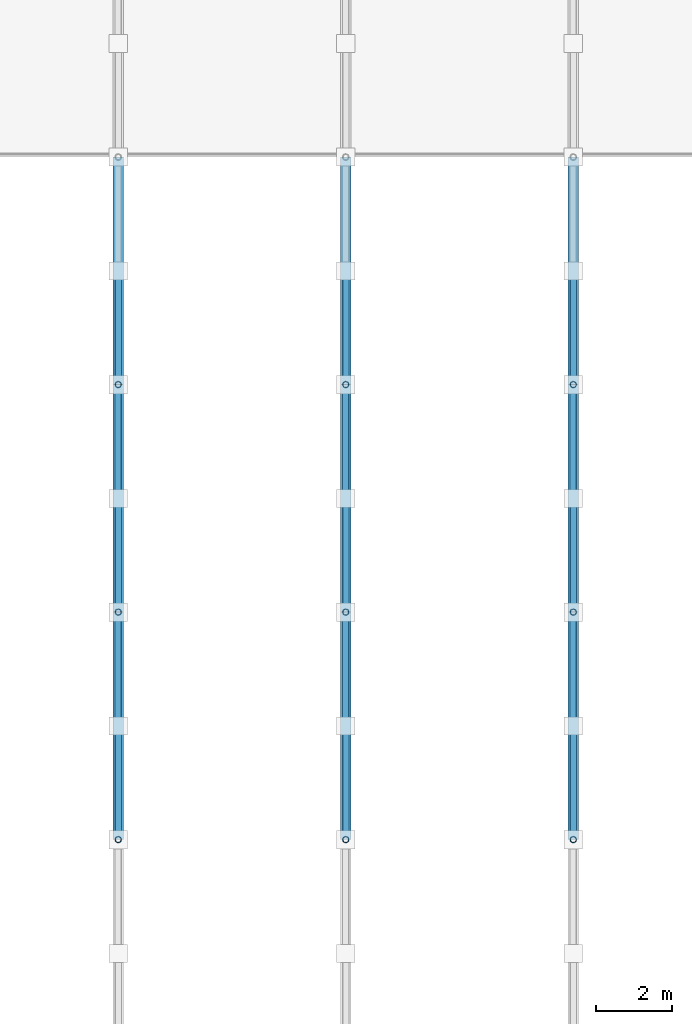
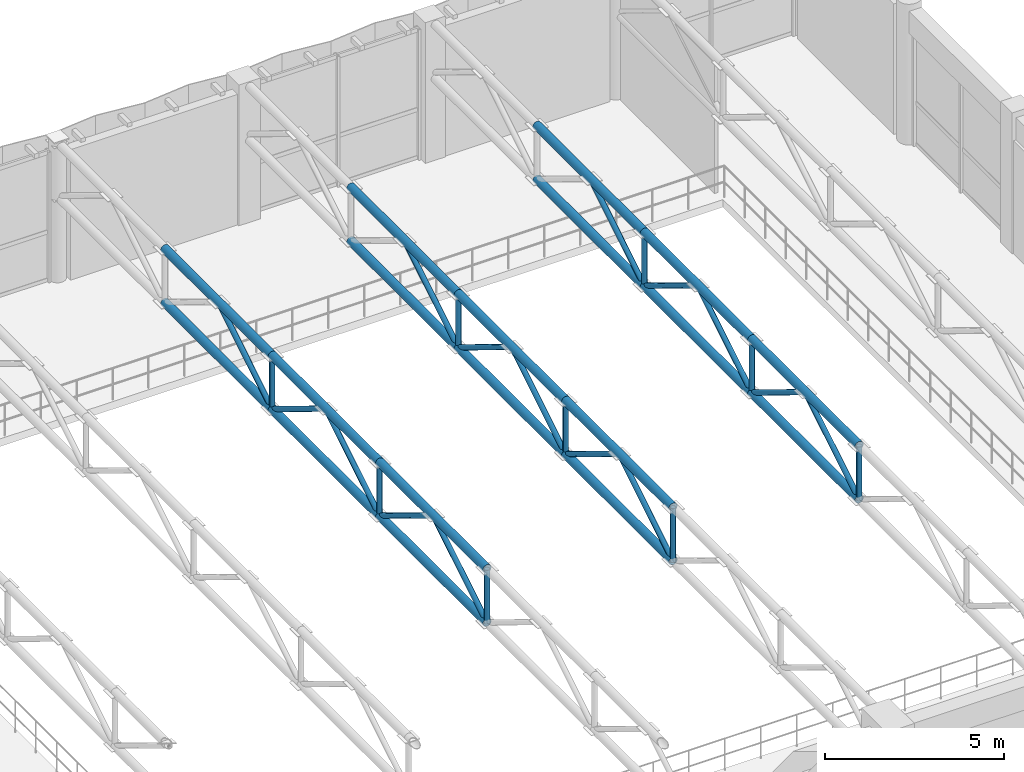
# One storey, part 42 of 123: 42 members.
"""IFC4 building model written with IfcOpenShell, lengths in metres."""

import ifcopenshell
import ifcopenshell.guid

model = None  # the IFC model being written
_history = None  # IfcOwnerHistory: only IFC2X3 demands one
_inside = {}  # id of a spatial element -> (the spatial element, [elements in it])
_under = {}  # id of a project, library or spatial element -> (it, [spatial elements below it])
_declared = {}  # id of a project -> (the project, [libraries it declares])
_typed = {}  # id of a type object -> (the type object, [elements of that type])
_made_of = {}  # id of a material, layer set ... -> (it, [elements and type objects made of it])


def new_model(schema):
    """Start an empty IFC model of exactly this schema.

    Asked for "IFC4X3", IfcOpenShell would pick the latest addendum, in which some entities
    have other attributes; the version numbers below select the first issue.
    IFC2X3 requires an IfcOwnerHistory on every rooted entity: one is made here for all.
    """
    global model, _history
    if schema == "IFC4X3":
        model = ifcopenshell.file(schema_version=(4, 3, 0, 0))
    else:
        model = ifcopenshell.file(schema=schema)
    _inside.clear()
    _under.clear()
    _declared.clear()
    _typed.clear()
    _made_of.clear()
    _history = None
    if model.schema == "IFC2X3":
        org = make("IfcOrganization", Name="unknown")
        user = make(
            "IfcPersonAndOrganization",
            ThePerson=make("IfcPerson", FamilyName="unknown"),
            TheOrganization=org,
        )
        app = make(
            "IfcApplication",
            ApplicationDeveloper=org,
            Version="unknown",
            ApplicationFullName="unknown",
            ApplicationIdentifier="unknown",
        )
        _history = make(
            "IfcOwnerHistory",
            OwningUser=user,
            OwningApplication=app,
            ChangeAction="ADDED",
            CreationDate=0,
        )
    return model


def make(cls, **values):
    """One entity of the class cls with the attributes given. An attribute that is None is left unset."""
    return model.create_entity(
        cls, **{name: value for name, value in values.items() if value is not None}
    )


def rooted(cls, **values):
    """An entity with a GlobalId (a new one), such as an element, a storey or a relation."""
    return make(cls, GlobalId=ifcopenshell.guid.new(), OwnerHistory=_history, **values)


def si_unit(unit_type, name, prefix=None):
    """IfcSIUnit, for example si_unit("LENGTHUNIT", "METRE", prefix="MILLI")."""
    return make("IfcSIUnit", UnitType=unit_type, Prefix=prefix, Name=name)


def assignment(units):
    """IfcUnitAssignment: the units of a project."""
    return None if units is None else make("IfcUnitAssignment", Units=units)


def point(xyz):
    """IfcCartesianPoint."""
    return None if xyz is None else make("IfcCartesianPoint", Coordinates=xyz)


def direction(xyz):
    """IfcDirection."""
    return None if xyz is None else make("IfcDirection", DirectionRatios=xyz)


def frame(location, z_axis=None, x_axis=None):
    """IfcAxis2Placement3D, a coordinate frame: its origin and axes. An axis left out is left unset."""
    return make(
        "IfcAxis2Placement3D",
        Location=point(location),
        Axis=direction(z_axis),
        RefDirection=direction(x_axis),
    )


def frame_2d(location, x_axis=None):
    """IfcAxis2Placement2D, a coordinate frame in the plane: its origin and x axis."""
    return make(
        "IfcAxis2Placement2D", Location=point(location), RefDirection=direction(x_axis)
    )


def origin():
    """The frame at (0, 0, 0) with its axes left unset."""
    return frame((0.0, 0.0, 0.0))


def origin_2d():
    """The frame at (0, 0) in the plane with its x axis left unset."""
    return frame_2d((0.0, 0.0))


def place(relative_to, where):
    """IfcLocalPlacement: puts the frame where relative to a parent placement (None: the world)."""
    return make(
        "IfcLocalPlacement", PlacementRelTo=relative_to, RelativePlacement=where
    )


def context(
    kind, dimensions, precision=None, world=None, true_north=None, identifier=None
):
    """IfcGeometricRepresentationContext, for example the 3D "Model" context."""
    return make(
        "IfcGeometricRepresentationContext",
        ContextIdentifier=identifier,
        ContextType=kind,
        CoordinateSpaceDimension=dimensions,
        Precision=precision,
        WorldCoordinateSystem=world,
        TrueNorth=true_north,
    )


def subcontext(parent, identifier, kind, view, scale=None):
    """IfcGeometricRepresentationSubContext, for example "Body" below "Model"."""
    return make(
        "IfcGeometricRepresentationSubContext",
        ContextIdentifier=identifier,
        ContextType=kind,
        ParentContext=parent,
        TargetScale=scale,
        TargetView=view,
    )


def project(units=None, contexts=None):
    """IfcProject with its units and contexts."""
    return rooted(
        "IfcProject",
        Name="project",
        RepresentationContexts=contexts,
        UnitsInContext=assignment(units),
    )


def spatial(cls, under=None, at=None, **own):
    """A site, building, storey or space (cls), placed at a placement, below another one or the project."""
    s = rooted(cls, ObjectPlacement=at, **own)
    if under is not None:
        _under.setdefault(under.id(), (under, []))[1].append(s)
    return s


def profile(cls, at=None, kind="AREA", **sizes):
    """A parametric profile (cls). Its sizes go by their IFC names, for example OverallWidth=200.0."""
    return make(cls, ProfileType=kind, Position=at, **sizes)


def hollow_circle(**sizes):
    """IfcCircleHollowProfileDef."""
    return profile("IfcCircleHollowProfileDef", **sizes)


def extrude(swept, where, along, depth):
    """IfcExtrudedAreaSolid: the profile swept, set in the frame where, extruded along a direction by depth."""
    return make(
        "IfcExtrudedAreaSolid",
        SweptArea=swept,
        Position=where,
        ExtrudedDirection=direction(along),
        Depth=depth,
    )


def shape(context_of_items, identifier, shape_type, items):
    """IfcShapeRepresentation: the items that make up one representation, for example the "Body"."""
    return make(
        "IfcShapeRepresentation",
        ContextOfItems=context_of_items,
        RepresentationIdentifier=identifier,
        RepresentationType=shape_type,
        Items=items,
    )


def material(Name=None, Category=None):
    """IfcMaterial."""
    return make("IfcMaterial", Name=Name, Category=Category)


def material_profile(
    of_material, cross_section, Name=None, Category=None, Priority=None
):
    """IfcMaterialProfile: a cross section and its material."""
    return make(
        "IfcMaterialProfile",
        Name=Name,
        Material=of_material,
        Profile=cross_section,
        Priority=Priority,
        Category=Category,
    )


def profile_set(profiles, Name=None, composite=None):
    """IfcMaterialProfileSet."""
    return make(
        "IfcMaterialProfileSet",
        Name=Name,
        MaterialProfiles=profiles,
        CompositeProfile=composite,
    )


def made_of(thing, what):
    """Note that an element or type object is made of a material, layer set ...; save() writes the relation."""
    if what is not None:
        _made_of.setdefault(what.id(), (what, []))[1].append(thing)
    return thing


def type_object(cls, material=None, **own):
    """A type object (cls), such as IfcWallType, which elements share."""
    return made_of(rooted(cls, **own), material)


def element(
    cls,
    number,
    at=None,
    inside=None,
    cuts=None,
    type_object=None,
    material=None,
    context=None,
    identifier="Body",
    shape_type=None,
    held_by="IfcProductDefinitionShape",
    body=None,
    shapes=None,
    **own,
):
    """One element of the class cls, such as IfcWall. Its Tag is "e" and its number.

    at: its placement. inside: the storey or other place that contains it. cuts: it is an
    opening in that element (IfcRelVoidsElement). A single representation is given by context,
    identifier, shape_type and body (its items); several are given by shapes. held_by: the class
    of the entity that holds the representations. save() writes the other relations.
    """
    e = rooted(cls, Tag="e%d" % number, ObjectPlacement=at, **own)
    if body is not None:
        shapes = [shape(context, identifier, shape_type, body)]
    if shapes is not None:
        e.Representation = make(held_by, Representations=shapes)
    if inside is not None:
        _inside.setdefault(inside.id(), (inside, []))[1].append(e)
    if cuts is not None:
        rooted(
            "IfcRelVoidsElement", RelatingBuildingElement=cuts, RelatedOpeningElement=e
        )
    if type_object is not None:
        _typed.setdefault(type_object.id(), (type_object, []))[1].append(e)
    return made_of(e, material)


def aggregate(whole, parts):
    """IfcRelAggregates: a whole, such as a stair, and the parts it consists of."""
    return rooted("IfcRelAggregates", RelatingObject=whole, RelatedObjects=parts)


def save(model, path):
    """Write the relations noted so far, then the file.

    IfcRelAggregates (storeys below a building ...), IfcRelContainedInSpatialStructure (elements
    in a storey), IfcRelDefinesByType, IfcRelAssociatesMaterial and IfcRelDeclares: one each for
    every whole, place, type object, material and project.
    """
    for whole, parts in _under.values():
        aggregate(whole, parts)
    for where, things in _inside.values():
        rooted(
            "IfcRelContainedInSpatialStructure",
            RelatedElements=things,
            RelatingStructure=where,
        )
    for kind, things in _typed.values():
        rooted("IfcRelDefinesByType", RelatedObjects=things, RelatingType=kind)
    for what, things in _made_of.values():
        rooted("IfcRelAssociatesMaterial", RelatedObjects=things, RelatingMaterial=what)
    for by, libraries in _declared.values():
        rooted("IfcRelDeclares", RelatingContext=by, RelatedDefinitions=libraries)
    model.write(path)


model = new_model("IFC4")

# Units and contexts
model_context = context("Model", 3, precision=1e-05, world=origin(), true_north=direction((0.0, 1.0)))
body_context = subcontext(model_context, "Body", "Model", "MODEL_VIEW")
ifc_project = project(units=[si_unit("LENGTHUNIT", "METRE"), si_unit("AREAUNIT", "SQUARE_METRE"), si_unit("VOLUMEUNIT", "CUBIC_METRE"), si_unit("PLANEANGLEUNIT", "RADIAN"), si_unit("MASSUNIT", "GRAM", prefix="KILO"), si_unit("THERMODYNAMICTEMPERATUREUNIT", "KELVIN"), si_unit("POWERUNIT", "WATT")], contexts=[model_context])

# Site, building, storey
site_placement = place(None, origin())
site = spatial("IfcSite", under=ifc_project, at=site_placement, CompositionType="ELEMENT")
building_placement = place(site_placement, origin())
building = spatial("IfcBuilding", under=site, at=building_placement, Name="Phaisarnlok Congress Hotel", CompositionType="ELEMENT")
storey_placement = place(building_placement, frame((0.0, 0.0, 15.0)))
storey = spatial("IfcBuildingStorey", under=building, at=storey_placement, Name="L03", CompositionType="ELEMENT", Elevation=15.0)

# Members
ifc_material = material(Name="Steel S355", Category="steel")
ifc_material_profile_1 = material_profile(ifc_material, hollow_circle(Radius=0.084228515625, WallThickness=0.010009765625, at=origin_2d()), Name="CHS 168.3x10")
ifc_profile_set_1 = profile_set([ifc_material_profile_1], Name="Steel S355")
member_type_1 = type_object("IfcMemberType", Name="MEM-BRC-CHS168", PredefinedType="BRACE", material=ifc_profile_set_1)
member_1_placement = place(storey_placement, frame((18.0, 96.0, 2.800048828125), z_axis=(0.0, 0.0, 1.0), x_axis=(1.0, 0.0, 0.0)))
element("IfcMember", 1, at=member_1_placement, inside=storey, type_object=member_type_1, Name="Spa pavilion truss vertical TB-01", PredefinedType="BRACE", context=body_context, shape_type="SweptSolid", body=[
    extrude(hollow_circle(Radius=0.084228515625, WallThickness=0.010009765625, at=origin_2d()), origin(), (0.0, 0.0, 1.0), 1.829833984375),
])
for number, where, z_axis, x_axis, name in (
    (2, (18.0, 96.0, 2.800048828125), (0.0, 0.853724612577, 0.520724769797), (-1.0, 0.0, 0.0), "Spa pavilion truss diagonal TB-01"),
    (3, (18.0, 102.0, 2.800048828125), (0.0, -0.853724612577, 0.520724769797), (1.0, 0.0, 0.0), "Spa pavilion truss diagonal TB-01"),
):
    element("IfcMember", number, at=place(storey_placement, frame(where, z_axis=z_axis, x_axis=x_axis)), inside=storey, type_object=member_type_1, Name=name, PredefinedType="BRACE", context=body_context, shape_type="SweptSolid", body=[
        extrude(hollow_circle(Radius=0.084228515625, WallThickness=0.010009765625, at=origin_2d()), origin(), (0.0, 0.0, 1.0), 3.513916015625),
    ])
member_2_placement = place(storey_placement, frame((18.0, 102.0, 2.800048828125), z_axis=(0.0, 0.0, 1.0), x_axis=(1.0, 0.0, 0.0)))
element("IfcMember", 4, at=member_2_placement, inside=storey, type_object=member_type_1, Name="Spa pavilion truss vertical TB-01", PredefinedType="BRACE", context=body_context, shape_type="SweptSolid", body=[
    extrude(hollow_circle(Radius=0.084228515625, WallThickness=0.010009765625, at=origin_2d()), origin(), (0.0, 0.0, 1.0), 1.829833984375),
])
for number, where, z_axis, x_axis, name in (
    (5, (18.0, 102.0, 2.800048828125), (0.0, 0.853724612577, 0.520724769797), (-1.0, 0.0, 0.0), "Spa pavilion truss diagonal TB-01"),
    (6, (18.0, 108.0, 2.800048828125), (0.0, -0.853724612577, 0.520724769797), (1.0, 0.0, 0.0), "Spa pavilion truss diagonal TB-01"),
):
    element("IfcMember", number, at=place(storey_placement, frame(where, z_axis=z_axis, x_axis=x_axis)), inside=storey, type_object=member_type_1, Name=name, PredefinedType="BRACE", context=body_context, shape_type="SweptSolid", body=[
        extrude(hollow_circle(Radius=0.084228515625, WallThickness=0.010009765625, at=origin_2d()), origin(), (0.0, 0.0, 1.0), 3.513916015625),
    ])
member_3_placement = place(storey_placement, frame((18.0, 108.0, 2.800048828125), z_axis=(0.0, 0.0, 1.0), x_axis=(1.0, 0.0, 0.0)))
element("IfcMember", 7, at=member_3_placement, inside=storey, type_object=member_type_1, Name="Spa pavilion truss vertical TB-01", PredefinedType="BRACE", context=body_context, shape_type="SweptSolid", body=[
    extrude(hollow_circle(Radius=0.084228515625, WallThickness=0.010009765625, at=origin_2d()), origin(), (0.0, 0.0, 1.0), 1.829833984375),
])
member_4_placement = place(storey_placement, frame((18.0, 108.0, 2.800048828125), z_axis=(0.0, 0.853724612577, 0.520724769797), x_axis=(-1.0, 0.0, 0.0)))
element("IfcMember", 8, at=member_4_placement, inside=storey, type_object=member_type_1, Name="Spa pavilion truss diagonal TB-01", PredefinedType="BRACE", context=body_context, shape_type="SweptSolid", body=[
    extrude(hollow_circle(Radius=0.084228515625, WallThickness=0.010009765625, at=origin_2d()), origin(), (0.0, 0.0, 1.0), 3.513916015625),
])
member_5_placement = place(storey_placement, frame((24.0, 96.0, 2.800048828125), z_axis=(0.0, 0.0, 1.0), x_axis=(1.0, 0.0, 0.0)))
element("IfcMember", 9, at=member_5_placement, inside=storey, type_object=member_type_1, Name="Spa pavilion truss vertical TB-01", PredefinedType="BRACE", context=body_context, shape_type="SweptSolid", body=[
    extrude(hollow_circle(Radius=0.084228515625, WallThickness=0.010009765625, at=origin_2d()), origin(), (0.0, 0.0, 1.0), 1.829833984375),
])
for number, where, z_axis, x_axis, name in (
    (10, (24.0, 96.0, 2.800048828125), (0.0, 0.853724612577, 0.520724769797), (-1.0, 0.0, 0.0), "Spa pavilion truss diagonal TB-01"),
    (11, (24.0, 102.0, 2.800048828125), (0.0, -0.853724612577, 0.520724769797), (1.0, 0.0, 0.0), "Spa pavilion truss diagonal TB-01"),
):
    element("IfcMember", number, at=place(storey_placement, frame(where, z_axis=z_axis, x_axis=x_axis)), inside=storey, type_object=member_type_1, Name=name, PredefinedType="BRACE", context=body_context, shape_type="SweptSolid", body=[
        extrude(hollow_circle(Radius=0.084228515625, WallThickness=0.010009765625, at=origin_2d()), origin(), (0.0, 0.0, 1.0), 3.513916015625),
    ])
member_6_placement = place(storey_placement, frame((24.0, 102.0, 2.800048828125), z_axis=(0.0, 0.0, 1.0), x_axis=(1.0, 0.0, 0.0)))
element("IfcMember", 12, at=member_6_placement, inside=storey, type_object=member_type_1, Name="Spa pavilion truss vertical TB-01", PredefinedType="BRACE", context=body_context, shape_type="SweptSolid", body=[
    extrude(hollow_circle(Radius=0.084228515625, WallThickness=0.010009765625, at=origin_2d()), origin(), (0.0, 0.0, 1.0), 1.829833984375),
])
for number, where, z_axis, x_axis, name in (
    (13, (24.0, 102.0, 2.800048828125), (0.0, 0.853724612577, 0.520724769797), (-1.0, 0.0, 0.0), "Spa pavilion truss diagonal TB-01"),
    (14, (24.0, 108.0, 2.800048828125), (0.0, -0.853724612577, 0.520724769797), (1.0, 0.0, 0.0), "Spa pavilion truss diagonal TB-01"),
):
    element("IfcMember", number, at=place(storey_placement, frame(where, z_axis=z_axis, x_axis=x_axis)), inside=storey, type_object=member_type_1, Name=name, PredefinedType="BRACE", context=body_context, shape_type="SweptSolid", body=[
        extrude(hollow_circle(Radius=0.084228515625, WallThickness=0.010009765625, at=origin_2d()), origin(), (0.0, 0.0, 1.0), 3.513916015625),
    ])
member_7_placement = place(storey_placement, frame((24.0, 108.0, 2.800048828125), z_axis=(0.0, 0.0, 1.0), x_axis=(1.0, 0.0, 0.0)))
element("IfcMember", 15, at=member_7_placement, inside=storey, type_object=member_type_1, Name="Spa pavilion truss vertical TB-01", PredefinedType="BRACE", context=body_context, shape_type="SweptSolid", body=[
    extrude(hollow_circle(Radius=0.084228515625, WallThickness=0.010009765625, at=origin_2d()), origin(), (0.0, 0.0, 1.0), 1.829833984375),
])
member_8_placement = place(storey_placement, frame((24.0, 108.0, 2.800048828125), z_axis=(0.0, 0.853724612577, 0.520724769797), x_axis=(-1.0, 0.0, 0.0)))
element("IfcMember", 16, at=member_8_placement, inside=storey, type_object=member_type_1, Name="Spa pavilion truss diagonal TB-01", PredefinedType="BRACE", context=body_context, shape_type="SweptSolid", body=[
    extrude(hollow_circle(Radius=0.084228515625, WallThickness=0.010009765625, at=origin_2d()), origin(), (0.0, 0.0, 1.0), 3.513916015625),
])
member_9_placement = place(storey_placement, frame((30.0, 96.0, 2.800048828125), z_axis=(0.0, 0.0, 1.0), x_axis=(1.0, 0.0, 0.0)))
element("IfcMember", 17, at=member_9_placement, inside=storey, type_object=member_type_1, Name="Spa pavilion truss vertical TB-01", PredefinedType="BRACE", context=body_context, shape_type="SweptSolid", body=[
    extrude(hollow_circle(Radius=0.084228515625, WallThickness=0.010009765625, at=origin_2d()), origin(), (0.0, 0.0, 1.0), 1.829833984375),
])
for number, where, z_axis, x_axis, name in (
    (18, (30.0, 96.0, 2.800048828125), (0.0, 0.853724612577, 0.520724769797), (-1.0, 0.0, 0.0), "Spa pavilion truss diagonal TB-01"),
    (19, (30.0, 102.0, 2.800048828125), (0.0, -0.853724612577, 0.520724769797), (1.0, 0.0, 0.0), "Spa pavilion truss diagonal TB-01"),
):
    element("IfcMember", number, at=place(storey_placement, frame(where, z_axis=z_axis, x_axis=x_axis)), inside=storey, type_object=member_type_1, Name=name, PredefinedType="BRACE", context=body_context, shape_type="SweptSolid", body=[
        extrude(hollow_circle(Radius=0.084228515625, WallThickness=0.010009765625, at=origin_2d()), origin(), (0.0, 0.0, 1.0), 3.513916015625),
    ])
member_10_placement = place(storey_placement, frame((30.0, 102.0, 2.800048828125), z_axis=(0.0, 0.0, 1.0), x_axis=(1.0, 0.0, 0.0)))
element("IfcMember", 20, at=member_10_placement, inside=storey, type_object=member_type_1, Name="Spa pavilion truss vertical TB-01", PredefinedType="BRACE", context=body_context, shape_type="SweptSolid", body=[
    extrude(hollow_circle(Radius=0.084228515625, WallThickness=0.010009765625, at=origin_2d()), origin(), (0.0, 0.0, 1.0), 1.829833984375),
])
for number, where, z_axis, x_axis, name in (
    (21, (30.0, 102.0, 2.800048828125), (0.0, 0.853724612577, 0.520724769797), (-1.0, 0.0, 0.0), "Spa pavilion truss diagonal TB-01"),
    (22, (30.0, 108.0, 2.800048828125), (0.0, -0.853724612577, 0.520724769797), (1.0, 0.0, 0.0), "Spa pavilion truss diagonal TB-01"),
):
    element("IfcMember", number, at=place(storey_placement, frame(where, z_axis=z_axis, x_axis=x_axis)), inside=storey, type_object=member_type_1, Name=name, PredefinedType="BRACE", context=body_context, shape_type="SweptSolid", body=[
        extrude(hollow_circle(Radius=0.084228515625, WallThickness=0.010009765625, at=origin_2d()), origin(), (0.0, 0.0, 1.0), 3.513916015625),
    ])
member_11_placement = place(storey_placement, frame((30.0, 108.0, 2.800048828125), z_axis=(0.0, 0.0, 1.0), x_axis=(1.0, 0.0, 0.0)))
element("IfcMember", 23, at=member_11_placement, inside=storey, type_object=member_type_1, Name="Spa pavilion truss vertical TB-01", PredefinedType="BRACE", context=body_context, shape_type="SweptSolid", body=[
    extrude(hollow_circle(Radius=0.084228515625, WallThickness=0.010009765625, at=origin_2d()), origin(), (0.0, 0.0, 1.0), 1.829833984375),
])
member_12_placement = place(storey_placement, frame((30.0, 108.0, 2.800048828125), z_axis=(0.0, 0.853724612577, 0.520724769797), x_axis=(-1.0, 0.0, 0.0)))
element("IfcMember", 24, at=member_12_placement, inside=storey, type_object=member_type_1, Name="Spa pavilion truss diagonal TB-01", PredefinedType="BRACE", context=body_context, shape_type="SweptSolid", body=[
    extrude(hollow_circle(Radius=0.084228515625, WallThickness=0.010009765625, at=origin_2d()), origin(), (0.0, 0.0, 1.0), 3.513916015625),
])
ifc_material_profile_2 = material_profile(ifc_material, hollow_circle(Radius=0.136474609375, WallThickness=0.01611328125, at=origin_2d()), Name="CHS 273x16")
ifc_profile_set_2 = profile_set([ifc_material_profile_2], Name="Steel S355")
member_type_2 = type_object("IfcMemberType", Name="MEM-CHD-CHS273", PredefinedType="CHORD", material=ifc_profile_set_2)
for number, where, z_axis, x_axis, name in (
    (25, (18.0, 96.0, 4.6298828125), (0.0, 1.0, 0.0), (-1.0, 0.0, 0.0), "Spa pavilion truss top chord TC-03"),
    (26, (18.0, 96.0, 2.800048828125), (0.0, 1.0, 0.0), (-1.0, 0.0, 0.0), "Spa pavilion truss bottom chord TC-03"),
    (27, (18.0, 102.0, 4.6298828125), (0.0, 1.0, 0.0), (-1.0, 0.0, 0.0), "Spa pavilion truss top chord TC-03"),
    (28, (18.0, 102.0, 2.800048828125), (0.0, 1.0, 0.0), (-1.0, 0.0, 0.0), "Spa pavilion truss bottom chord TC-03"),
    (29, (18.0, 108.0, 4.6298828125), (0.0, 1.0, 0.0), (-1.0, 0.0, 0.0), "Spa pavilion truss top chord TC-03"),
    (30, (18.0, 108.0, 2.800048828125), (0.0, 1.0, 0.0), (-1.0, 0.0, 0.0), "Spa pavilion truss bottom chord TC-03"),
    (31, (24.0, 96.0, 4.6298828125), (0.0, 1.0, 0.0), (-1.0, 0.0, 0.0), "Spa pavilion truss top chord TC-03"),
    (32, (24.0, 96.0, 2.800048828125), (0.0, 1.0, 0.0), (-1.0, 0.0, 0.0), "Spa pavilion truss bottom chord TC-03"),
    (33, (24.0, 102.0, 4.6298828125), (0.0, 1.0, 0.0), (-1.0, 0.0, 0.0), "Spa pavilion truss top chord TC-03"),
    (34, (24.0, 102.0, 2.800048828125), (0.0, 1.0, 0.0), (-1.0, 0.0, 0.0), "Spa pavilion truss bottom chord TC-03"),
    (35, (24.0, 108.0, 4.6298828125), (0.0, 1.0, 0.0), (-1.0, 0.0, 0.0), "Spa pavilion truss top chord TC-03"),
    (36, (24.0, 108.0, 2.800048828125), (0.0, 1.0, 0.0), (-1.0, 0.0, 0.0), "Spa pavilion truss bottom chord TC-03"),
    (37, (30.0, 96.0, 4.6298828125), (0.0, 1.0, 0.0), (-1.0, 0.0, 0.0), "Spa pavilion truss top chord TC-03"),
    (38, (30.0, 96.0, 2.800048828125), (0.0, 1.0, 0.0), (-1.0, 0.0, 0.0), "Spa pavilion truss bottom chord TC-03"),
    (39, (30.0, 102.0, 4.6298828125), (0.0, 1.0, 0.0), (-1.0, 0.0, 0.0), "Spa pavilion truss top chord TC-03"),
    (40, (30.0, 102.0, 2.800048828125), (0.0, 1.0, 0.0), (-1.0, 0.0, 0.0), "Spa pavilion truss bottom chord TC-03"),
    (41, (30.0, 108.0, 4.6298828125), (0.0, 1.0, 0.0), (-1.0, 0.0, 0.0), "Spa pavilion truss top chord TC-03"),
    (42, (30.0, 108.0, 2.800048828125), (0.0, 1.0, 0.0), (-1.0, 0.0, 0.0), "Spa pavilion truss bottom chord TC-03"),
):
    element("IfcMember", number, at=place(storey_placement, frame(where, z_axis=z_axis, x_axis=x_axis)), inside=storey, type_object=member_type_2, Name=name, PredefinedType="CHORD", context=body_context, shape_type="SweptSolid", body=[
        extrude(hollow_circle(Radius=0.136474609375, WallThickness=0.01611328125, at=origin_2d()), origin(), (0.0, 0.0, 1.0), 6.0),
    ])

save(model, "model.ifc")
